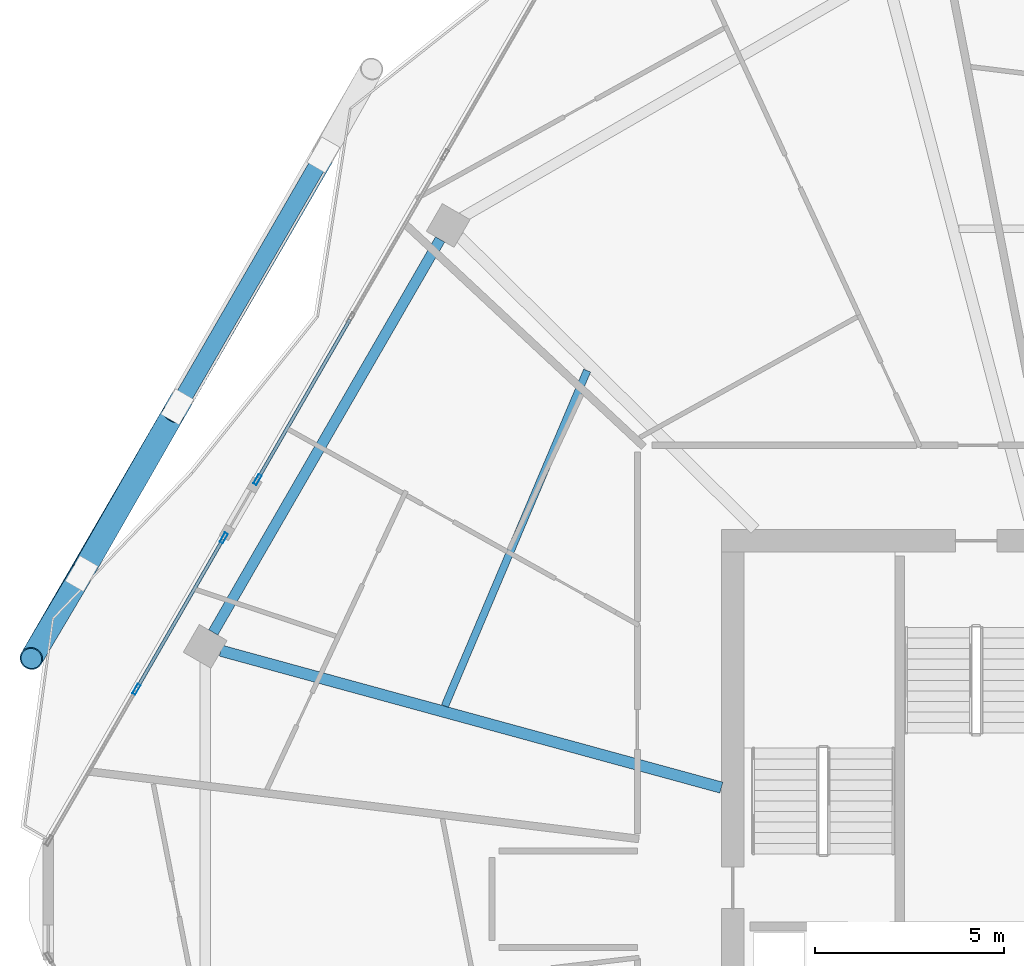
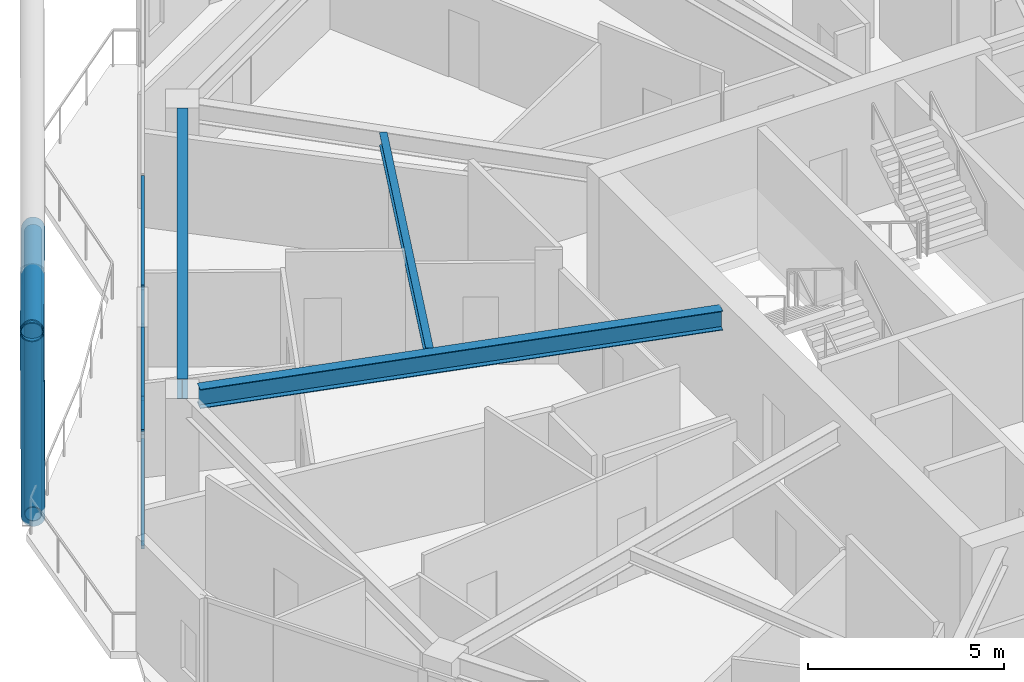
# One storey, part 12 of 29: 11 members, 3 beams, 2 elements without a shape of their own.
"""IFC4 building model written with IfcOpenShell, lengths in metres."""

from ifc_helpers import new_model, si_unit, direction, frame, origin, origin_2d, place, context, subcontext, project, spatial, hollow_rectangle, hollow_circle, i_section, extrude, material, material_profile, profile_set, type_object, element, aggregate, save


model = new_model("IFC4")

# Units and contexts
model_context = context("Model", 3, precision=1e-05, world=origin(), true_north=direction((0.0, 1.0)))
body_context = subcontext(model_context, "Body", "Model", "MODEL_VIEW")
ifc_project = project(units=[si_unit("LENGTHUNIT", "METRE"), si_unit("AREAUNIT", "SQUARE_METRE"), si_unit("VOLUMEUNIT", "CUBIC_METRE"), si_unit("PLANEANGLEUNIT", "RADIAN"), si_unit("MASSUNIT", "GRAM", prefix="KILO")], contexts=[model_context])

# Site, building, storey
site_placement = place(None, origin())
site = spatial("IfcSite", under=ifc_project, at=site_placement, CompositionType="ELEMENT")
building_placement = place(site_placement, origin())
building = spatial("IfcBuilding", under=site, at=building_placement, Name="Zuhravey Tower", CompositionType="ELEMENT")
storey_placement = place(building_placement, frame((0.0, 0.0, 269.199951171875)))
storey = spatial("IfcBuildingStorey", under=building, at=storey_placement, Name="L68", CompositionType="ELEMENT", Elevation=269.199951171875)

# Curtain wall, members
ifc_material_1 = material(Name="Thermally broken anodised aluminium", Category="aluminium")
curtain_wall_type = type_object("IfcCurtainWallType", Name="Zone 3-4 High-Rise Curtain Wall CW4", PredefinedType="NOTDEFINED", material=ifc_material_1)
curtain_wall_1_placement = place(storey_placement, origin())
curtain_wall_1 = element("IfcCurtainWall", 1, at=curtain_wall_1_placement, inside=storey, type_object=curtain_wall_type, Name="L68 CW4 CW-L68-F3-1", PredefinedType="NOTDEFINED")
ifc_material_2 = material(Name="Anodised aluminium", Category="aluminium")
ifc_material_profile_1 = material_profile(ifc_material_2, hollow_rectangle(XDim=0.090087890625, YDim=0.284912109375, WallThickness=0.0048828125, at=origin_2d()), Name="ALU-RHS-90x285x5")
ifc_profile_set_1 = profile_set([ifc_material_profile_1], Name="Anodised aluminium")
member_type_1 = type_object("IfcMemberType", Name="Curtain-Wall Mullion 90x180", PredefinedType="MULLION", material=ifc_profile_set_1)
member_1_placement = place(storey_placement, frame((9.69287109375, 37.561767578125, 0.0), z_axis=(0.0, 0.0, 1.0), x_axis=(-0.86602211108, 0.500005703088, 0.0)))
member_1 = element("IfcMember", 2, at=member_1_placement, type_object=member_type_1, Name="CW4 mullion 2", PredefinedType="MULLION", context=body_context, shape_type="SweptSolid", body=[
    extrude(hollow_rectangle(XDim=0.090087890625, YDim=0.284912109375, WallThickness=0.0048828125, at=origin_2d()), origin(), (0.0, 0.0, 1.0), 3.550048828125),
])
member_2_placement = place(storey_placement, frame((12.00830078125, 41.572021484375, 0.0), z_axis=(0.0, 0.0, 1.0), x_axis=(-0.86602211108, 0.500005703088, 0.0)))
member_2 = element("IfcMember", 3, at=member_2_placement, type_object=member_type_1, Name="CW4 mullion 3", PredefinedType="MULLION", context=body_context, shape_type="SweptSolid", body=[
    extrude(hollow_rectangle(XDim=0.090087890625, YDim=0.284912109375, WallThickness=0.0048828125, at=origin_2d()), origin(), (0.0, 0.0, 1.0), 3.550048828125),
])

# Curtain wall, member
curtain_wall_2_placement = place(storey_placement, origin())
curtain_wall_2 = element("IfcCurtainWall", 4, at=curtain_wall_2_placement, inside=storey, type_object=curtain_wall_type, Name="L68 CW4 CW-L68-F3-2", PredefinedType="NOTDEFINED")
member_3_placement = place(storey_placement, frame((12.9033203125, 43.122314453125, 0.0), z_axis=(0.0, 0.0, 1.0), x_axis=(-0.866025550855, 0.499999745267, 0.0)))
member_3 = element("IfcMember", 5, at=member_3_placement, type_object=member_type_1, Name="CW4 mullion 1", PredefinedType="MULLION", context=body_context, shape_type="SweptSolid", body=[
    extrude(hollow_rectangle(XDim=0.090087890625, YDim=0.284912109375, WallThickness=0.0048828125, at=origin_2d()), origin(), (0.0, 0.0, 1.0), 3.550048828125),
])

# Member
ifc_material_profile_2 = material_profile(ifc_material_2, hollow_rectangle(XDim=0.090087890625, YDim=0.14990234375, WallThickness=0.0048828125, at=origin_2d()), Name="ALU-RHS-90x150x5")
ifc_profile_set_2 = profile_set([ifc_material_profile_2], Name="Anodised aluminium")
member_type_2 = type_object("IfcMemberType", Name="Curtain-Wall Transom 90x150", PredefinedType="USERDEFINED", material=ifc_profile_set_2)
member_4_placement = place(storey_placement, frame((9.71533203125, 37.600830078125, 0.045166015625), z_axis=(0.499984644474, 0.86603426912, 0.0), x_axis=(-0.86603426912, 0.499984644474, 0.0)))
member_4 = element("IfcMember", 6, at=member_4_placement, type_object=member_type_2, Name="CW4 transom 2.1", ObjectType="TRANSOM", PredefinedType="USERDEFINED", context=body_context, shape_type="SweptSolid", body=[
    extrude(hollow_rectangle(XDim=0.090087890625, YDim=0.14990234375, WallThickness=0.0048828125, at=origin_2d()), origin(), (0.0, 0.0, 1.0), 4.540771484375),
])

member_5_placement = place(storey_placement, frame((9.71533203125, 37.600830078125, 3.505126953125), z_axis=(0.499984644474, 0.86603426912, 0.0), x_axis=(-0.86603426912, 0.499984644474, 0.0)))
member_5 = element("IfcMember", 7, at=member_5_placement, type_object=member_type_2, Name="CW4 transom 2.2", ObjectType="TRANSOM", PredefinedType="USERDEFINED", context=body_context, shape_type="SweptSolid", body=[
    extrude(hollow_rectangle(XDim=0.090087890625, YDim=0.14990234375, WallThickness=0.0048828125, at=origin_2d()), origin(), (0.0, 0.0, 1.0), 4.540771484375),
])

aggregate(curtain_wall_1, [member_1, member_2, member_4, member_5])

member_6_placement = place(storey_placement, frame((12.92578125, 43.161376953125, 0.045166015625), z_axis=(0.499983569942, 0.866034889475, 0.0), x_axis=(-0.866034889475, 0.499983569942, 0.0)))
member_6 = element("IfcMember", 8, at=member_6_placement, type_object=member_type_2, Name="CW4 transom 1.1", ObjectType="TRANSOM", PredefinedType="USERDEFINED", context=body_context, shape_type="SweptSolid", body=[
    extrude(hollow_rectangle(XDim=0.090087890625, YDim=0.14990234375, WallThickness=0.0048828125, at=origin_2d()), origin(), (0.0, 0.0, 1.0), 4.856201171875),
])

member_7_placement = place(storey_placement, frame((12.92578125, 43.161376953125, 3.505126953125), z_axis=(0.499983569942, 0.866034889475, 0.0), x_axis=(-0.866034889475, 0.499983569942, 0.0)))
member_7 = element("IfcMember", 9, at=member_7_placement, type_object=member_type_2, Name="CW4 transom 1.2", ObjectType="TRANSOM", PredefinedType="USERDEFINED", context=body_context, shape_type="SweptSolid", body=[
    extrude(hollow_rectangle(XDim=0.090087890625, YDim=0.14990234375, WallThickness=0.0048828125, at=origin_2d()), origin(), (0.0, 0.0, 1.0), 4.856201171875),
])

aggregate(curtain_wall_2, [member_3, member_6, member_7])

# Members
ifc_material_3 = material(Name="Steel SM355", Category="steel")
ifc_material_profile_3 = material_profile(ifc_material_3, hollow_circle(Radius=0.228515625, WallThickness=0.02197265625, at=origin_2d()), Name="CHS-457.2x22")
ifc_profile_set_3 = profile_set([ifc_material_profile_3], Name="Steel SM355")
member_type_3 = type_object("IfcMemberType", Name="Exoskeleton Ring Tie CHS457x22", PredefinedType="CHORD", material=ifc_profile_set_3)
member_8_placement = place(storey_placement, frame((14.578857421875, 51.604736328125, -0.4638671875), z_axis=(-0.499993323494, -0.866029258433, 0.0), x_axis=(0.866029258433, -0.499993323494, 0.0)))
element("IfcMember", 10, at=member_8_placement, inside=storey, type_object=member_type_3, Name="L68 Exoskeleton Face 3 Tie EXR1", PredefinedType="CHORD", context=body_context, shape_type="SweptSolid", body=[
    extrude(hollow_circle(Radius=0.228515625, WallThickness=0.02197265625, at=origin_2d()), origin(), (0.0, 0.0, 1.0), 12.535400390625),
])
ifc_material_profile_4 = material_profile(ifc_material_3, hollow_circle(Radius=0.3046875, WallThickness=0.028076171875, at=origin_2d()), Name="CHS-609.6x28")
ifc_profile_set_4 = profile_set([ifc_material_profile_4], Name="Steel SM355")
member_type_4 = type_object("IfcMemberType", Name="Exoskeleton Zone 3 Diagrid CHS610x28", PredefinedType="BRACE", material=ifc_profile_set_4)
member_9_placement = place(storey_placement, frame((14.630615234375, 51.6943359375, -0.446044921875), z_axis=(-0.450093852628, -0.77608435132, 0.441710995406), x_axis=(0.865048154504, -0.501688838214, 0.0)))
element("IfcMember", 11, at=member_9_placement, inside=storey, type_object=member_type_4, Name="L68 Face 3 Diagrid Brace 2", PredefinedType="BRACE", context=body_context, shape_type="SweptSolid", body=[
    extrude(hollow_circle(Radius=0.3046875, WallThickness=0.028076171875, at=origin_2d()), origin(), (0.0, 0.0, 1.0), 17.124755859375),
])
member_10_placement = place(storey_placement, frame((8.238037109375, 40.622314453125, -0.446044921875), z_axis=(-0.166258751758, -0.280494899048, 0.945346835332), x_axis=(0.860238328743, -0.509892162876, 0.0)))
element("IfcMember", 12, at=member_10_placement, inside=storey, type_object=member_type_4, Name="L68 Face 3 Diagrid Brace 4", PredefinedType="BRACE", context=body_context, shape_type="SweptSolid", body=[
    extrude(hollow_circle(Radius=0.3046875, WallThickness=0.028076171875, at=origin_2d()), origin(), (0.0, 0.0, 1.0), 8.00146484375),
])
member_11_placement = place(storey_placement, frame((8.257568359375, 40.656005859375, -0.439697265625), z_axis=(0.398772314351, 0.695500107024, 0.597712508182), x_axis=(-0.86752024558, 0.497401873246, 0.0)))
element("IfcMember", 13, at=member_11_placement, inside=storey, type_object=member_type_4, Name="L68 Face 3 Split Diagrid Brace 3A", PredefinedType="BRACE", context=body_context, shape_type="SweptSolid", body=[
    extrude(hollow_circle(Radius=0.3046875, WallThickness=0.028076171875, at=origin_2d()), origin(), (0.0, 0.0, 1.0), 6.02197265625),
])

# Beams
ifc_material_profile_5 = material_profile(ifc_material_3, i_section(OverallWidth=0.280029296875, OverallDepth=0.6201171875, WebThickness=0.011962890625, FlangeThickness=0.02001953125, at=origin_2d()), Name="H-620x280x12x20")
ifc_profile_set_5 = profile_set([ifc_material_profile_5], Name="Steel SM355")
beam_type_1 = type_object("IfcBeamType", Name="Perimeter Ring Beam H620x280", PredefinedType="BEAM", material=ifc_profile_set_5)
beam_1_placement = place(storey_placement, frame((17.742431640625, 49.484130859375, 3.239990234375), z_axis=(-0.500005971936, -0.866021955858, 0.0), x_axis=(0.866021955858, -0.500005971936, 0.0)))
element("IfcBeam", 14, at=beam_1_placement, inside=storey, type_object=beam_type_1, Name="L68 PB3 BM-L68-PB-05", PredefinedType="BEAM", context=body_context, shape_type="SweptSolid", body=[
    extrude(i_section(OverallWidth=0.280029296875, OverallDepth=0.6201171875, WebThickness=0.011962890625, FlangeThickness=0.02001953125, at=origin_2d()), origin(), (0.0, 0.0, 1.0), 12.025634765625),
])
ifc_material_profile_6 = material_profile(ifc_material_3, i_section(OverallWidth=0.300048828125, OverallDepth=0.60009765625, WebThickness=0.011962890625, FlangeThickness=0.02001953125, at=origin_2d()), Name="H-600x300x12x20")
ifc_profile_set_6 = profile_set([ifc_material_profile_6], Name="Steel SM355")
beam_type_2 = type_object("IfcBeamType", Name="Radial Primary Girder H600x300", PredefinedType="BEAM", material=ifc_profile_set_6)
beam_2_placement = place(storey_placement, frame((25.197021484375, 34.95556640625, 3.25), z_axis=(-0.964549305009, 0.263902705947, 0.0), x_axis=(-0.263902705947, -0.964549305009, 0.0)))
element("IfcBeam", 15, at=beam_2_placement, inside=storey, type_object=beam_type_2, Name="L68 RG3 BM-L68-RAD-06", PredefinedType="BEAM", context=body_context, shape_type="SweptSolid", body=[
    extrude(i_section(OverallWidth=0.300048828125, OverallDepth=0.60009765625, WebThickness=0.011962890625, FlangeThickness=0.02001953125, at=origin_2d()), origin(), (0.0, 0.0, 1.0), 13.756591796875),
])
ifc_material_profile_7 = material_profile(ifc_material_3, i_section(OverallWidth=0.199951171875, OverallDepth=0.39990234375, WebThickness=0.008056640625, FlangeThickness=0.012939453125, at=origin_2d()), Name="H-400x200x8x13")
ifc_profile_set_7 = profile_set([ifc_material_profile_7], Name="Steel SM355")
beam_type_3 = type_object("IfcBeamType", Name="Secondary Floor Joist H400x200", PredefinedType="JOIST", material=ifc_profile_set_7)
beam_3_placement = place(storey_placement, frame((21.63916015625, 46.009033203125, 3.35009765625), z_axis=(-0.390413493754, -0.920639616731, 0.0), x_axis=(0.920639616731, -0.390413493754, 0.0)))
element("IfcBeam", 16, at=beam_3_placement, inside=storey, type_object=beam_type_3, Name="L68 SJ2 BM-L68-SJ-05-1", PredefinedType="JOIST", context=body_context, shape_type="SweptSolid", body=[
    extrude(i_section(OverallWidth=0.199951171875, OverallDepth=0.39990234375, WebThickness=0.008056640625, FlangeThickness=0.012939453125, at=origin_2d()), origin(), (0.0, 0.0, 1.0), 9.656494140625),
])

save(model, "model.ifc")
